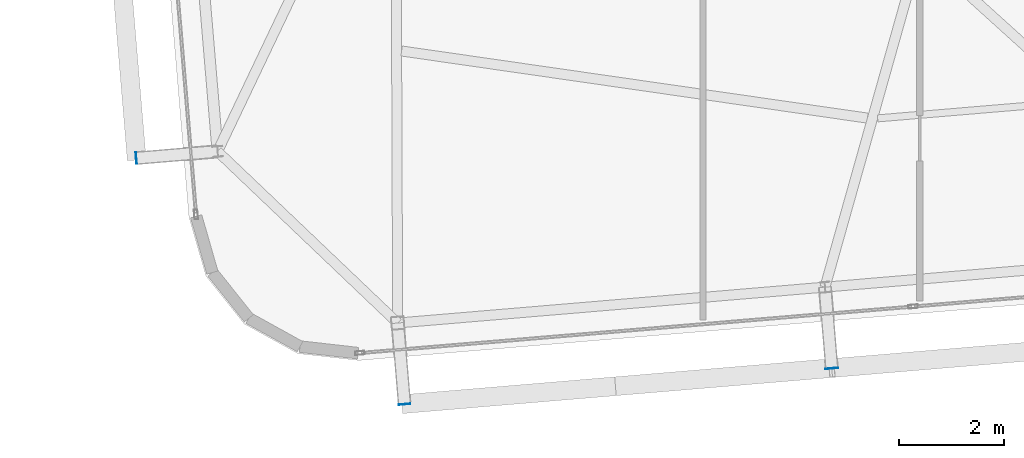
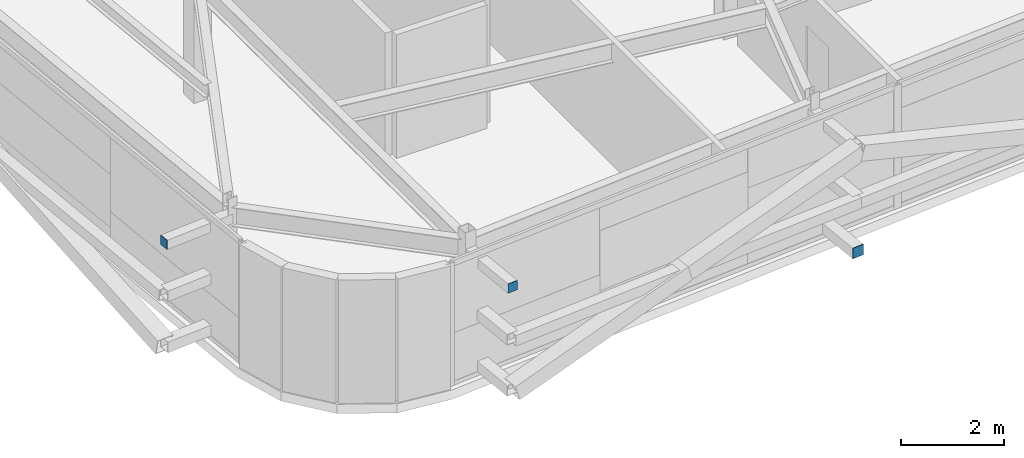
# One storey, part 27 of 39: 3 plates.
"""IFC4 building model written with IfcOpenShell, lengths in metres."""

from ifc_helpers import new_model, si_unit, direction, frame, origin, origin_2d, place, context, subcontext, project, spatial, rectangle, extrude, source, transform, mapped, material, layer, layer_set, type_object, element, save


model = new_model("IFC4")

# Units and contexts
model_context = context("Model", 3, precision=1e-05, world=origin(), true_north=direction((0.0, 1.0)))
body_context = subcontext(model_context, "Body", "Model", "MODEL_VIEW")
ifc_project = project(units=[si_unit("LENGTHUNIT", "METRE"), si_unit("AREAUNIT", "SQUARE_METRE"), si_unit("VOLUMEUNIT", "CUBIC_METRE"), si_unit("PLANEANGLEUNIT", "RADIAN"), si_unit("MASSUNIT", "GRAM", prefix="KILO")], contexts=[model_context])

# Site, building, storey
site_placement = place(None, origin())
site = spatial("IfcSite", under=ifc_project, at=site_placement, CompositionType="ELEMENT")
building_placement = place(site_placement, origin())
building = spatial("IfcBuilding", under=site, at=building_placement, Name="Taldren Reach Tower", CompositionType="ELEMENT")
storey_placement = place(building_placement, frame((0.0, 0.0, 197.75)))
storey = spatial("IfcBuildingStorey", under=building, at=storey_placement, Name="L60", CompositionType="ELEMENT", Elevation=197.75)

# Plates
ifc_material_1 = material(Name="Steel Gr 350 (C350L0)", Category="steel")
ifc_layer_1 = layer(ifc_material_1, 0.011962890625)
ifc_layer_set_1 = layer_set([ifc_layer_1], Name="Steel Gr 350 (C350L0)")
plate_type_1 = type_object("IfcPlateType", Name="PL-CAP-250", PredefinedType="SHEET", material=ifc_layer_set_1)
shared_shape_1 = source(origin(), body_context, "Body", "SweptSolid", [
    extrude(rectangle(XDim=0.25, YDim=0.011962890625, at=origin_2d()), origin(), (0.0, 0.0, 1.0), 0.25),
])
plate_1_placement = place(storey_placement, frame((26.321044921875, 1.22802734375, 0.094970703125), z_axis=(0.0, 0.0, 1.0), x_axis=(0.99649285925, 0.083677843332, 0.0)))
element("IfcPlate", 1, at=plate_1_placement, inside=storey, type_object=plate_type_1, Name="Tie strut end cap plate B4-S2 L60", PredefinedType="SHEET", context=body_context, shape_type="MappedRepresentation", body=[
    mapped(shared_shape_1, transform((0.0, 0.0, 0.0), scale=1.0)),
])
ifc_material_2 = material(Name="Steel Gr 450 (C450L0)", Category="steel")
ifc_layer_2 = layer(ifc_material_2, 0.011962890625)
ifc_layer_set_2 = layer_set([ifc_layer_2], Name="Steel Gr 450 (C450L0)")
plate_type_2 = type_object("IfcPlateType", Name="PL-CAP-220", PredefinedType="SHEET", material=ifc_layer_set_2)
shared_shape_2 = source(origin(), body_context, "Body", "SweptSolid", [
    extrude(rectangle(XDim=0.219970703125, YDim=0.011962890625, at=origin_2d()), origin(), (0.0, 0.0, 1.0), 0.219970703125),
])
plate_2_placement = place(storey_placement, frame((18.169921875, 0.54345703125, 2.5400390625), z_axis=(0.0, 0.0, 1.0), x_axis=(0.99649285925, 0.083677843332, 0.0)))
element("IfcPlate", 2, at=plate_2_placement, inside=storey, type_object=plate_type_2, Name="Tie strut end cap plate B4-S1 L60", PredefinedType="SHEET", context=body_context, shape_type="MappedRepresentation", body=[
    mapped(shared_shape_2, transform((0.0, 0.0, 0.0), scale=1.0)),
])
shared_shape_3 = source(origin(), body_context, "Body", "SweptSolid", [
    extrude(rectangle(XDim=0.011962890625, YDim=0.219970703125, at=origin_2d()), origin(), (0.0, 0.0, 1.0), 0.219970703125),
])
plate_3_placement = place(storey_placement, frame((13.052978515625, 5.23779296875, 2.5400390625), z_axis=(0.0, 0.0, 1.0), x_axis=(0.99649285925, 0.083677843332, 0.0)))
element("IfcPlate", 3, at=plate_3_placement, inside=storey, type_object=plate_type_2, Name="Tie strut end cap plate B4-W1 L60", PredefinedType="SHEET", context=body_context, shape_type="MappedRepresentation", body=[
    mapped(shared_shape_3, transform((0.0, 0.0, 0.0), scale=1.0)),
])

save(model, "model.ifc")
